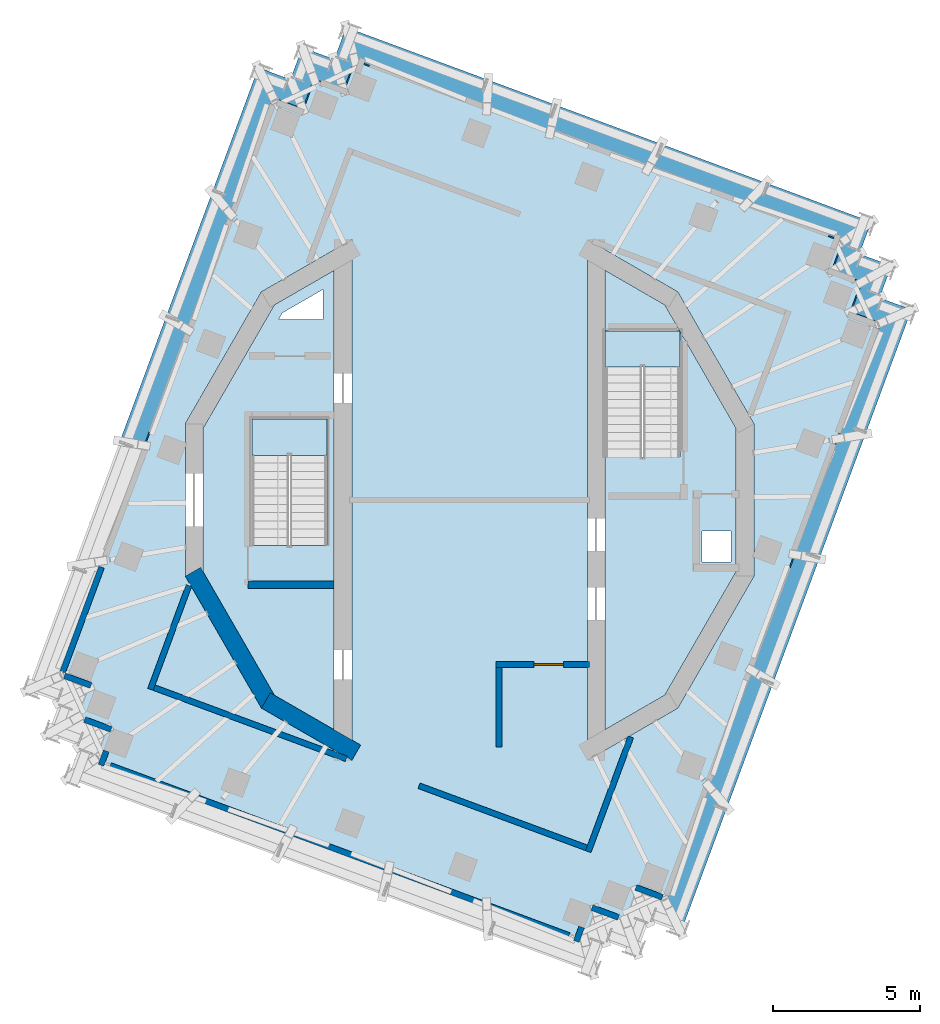
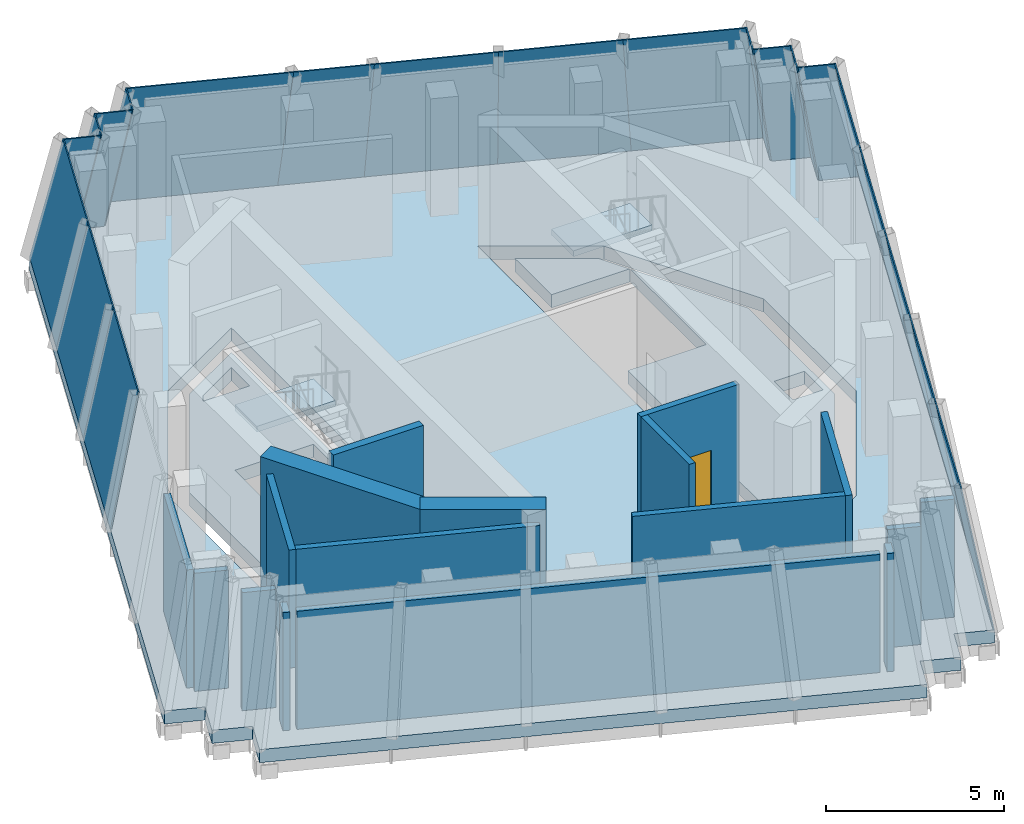
# One storey, part 4 of 11: 21 plates, 17 walls, 6 slabs, 1 door, 1 opening, 23 elements without a shape of their own.
"""IFC4 building model written with IfcOpenShell, lengths in metres."""

from ifc_helpers import new_model, si_unit, direction, frame, frame_2d, origin, place, context, subcontext, project, spatial, polyline, rectangle, outline, extrude, material, layer, layer_set, type_object, element, fill, aggregate, save


model = new_model("IFC4")

# Units and contexts
model_context = context("Model", 3, precision=1e-05, world=origin(), true_north=direction((0.0, 1.0)))
body_context = subcontext(model_context, "Body", "Model", "MODEL_VIEW")
ifc_project = project(units=[si_unit("LENGTHUNIT", "METRE"), si_unit("AREAUNIT", "SQUARE_METRE"), si_unit("VOLUMEUNIT", "CUBIC_METRE"), si_unit("PLANEANGLEUNIT", "RADIAN"), si_unit("MASSUNIT", "GRAM", prefix="KILO")], contexts=[model_context])

# Site, building, storey
site_placement = place(None, origin())
site = spatial("IfcSite", under=ifc_project, at=site_placement, CompositionType="ELEMENT")
building_placement = place(site_placement, origin())
building = spatial("IfcBuilding", under=site, at=building_placement, Name="Cantera Rosa Tower", CompositionType="ELEMENT")
storey_placement = place(building_placement, frame((0.0, 0.0, 365.199951171875)))
storey = spatial("IfcBuildingStorey", under=building, at=storey_placement, Name="L82", CompositionType="ELEMENT", Elevation=365.199951171875)

# Curtain wall, plate
ifc_material_1 = material(Name="Aluminium frame with clear glass", Category="aluminium")
curtain_wall_type = type_object("IfcCurtainWallType", Name="CW4 CROWN GLAZING", PredefinedType="NOTDEFINED", material=ifc_material_1)
curtain_wall_1_placement = place(storey_placement, origin())
curtain_wall_1 = element("IfcCurtainWall", 1, at=curtain_wall_1_placement, inside=storey, type_object=curtain_wall_type, Name="CW4 L82-01", PredefinedType="NOTDEFINED")
ifc_material_2 = material(Name="Aluminium frame with clear glass", Category="aluminium")
ifc_layer_1 = layer(ifc_material_2, 0.0400390625)
ifc_layer_set_1 = layer_set([ifc_layer_1], Name="CW-PANEL CROWN 40")
plate_type = type_object("IfcPlateType", Name="CW-PANEL CROWN 40", PredefinedType="CURTAIN_PANEL", material=ifc_layer_set_1)
plate_1_placement = place(storey_placement, frame((13.645263671875, 9.4482421875, 0.0), z_axis=(0.340165224007, 0.917961409223, 0.204045268396), x_axis=(-0.937689092441, 0.347475417715, 9.60879e-07)))
plate_1 = element("IfcPlate", 2, at=plate_1_placement, type_object=plate_type, Name="CROWN GLAZING L82-01", PredefinedType="CURTAIN_PANEL", context=body_context, shape_type="SweptSolid", body=[
    extrude(outline(polyline([(0.0, 0.0), (3.804694847355309, 5.551115123125783e-17), (4.198395613080415, 4.596703932929117), (0.6558739217055262, 4.596711144433926), (0.0, 0.0)])), origin(), (0.0, 0.0, -1.0), 0.0400390625),
])
aggregate(curtain_wall_1, [plate_1])

curtain_wall_2_placement = place(storey_placement, origin())
curtain_wall_2 = element("IfcCurtainWall", 3, at=curtain_wall_2_placement, inside=storey, type_object=curtain_wall_type, Name="CW4 L82-02", PredefinedType="NOTDEFINED")
plate_2_placement = place(storey_placement, frame((10.07763671875, 10.770263671875, 0.0), z_axis=(0.340203721243, 0.917944980498, 0.204054994624), x_axis=(-0.937673999764, 0.347516143739, -2.527527e-06)))
plate_2 = element("IfcPlate", 4, at=plate_2_placement, type_object=plate_type, Name="CROWN GLAZING L82-02", PredefinedType="CURTAIN_PANEL", context=body_context, shape_type="SweptSolid", body=[
    extrude(outline(polyline([(0.0, 0.0), (3.8047796858030525, 0.0), (3.935937095759924, 4.596727734943625), (0.3936443312266514, 4.596708765903235), (0.0, 0.0)])), origin(), (0.0, 0.0, -1.0), 0.0400390625),
])
aggregate(curtain_wall_2, [plate_2])

curtain_wall_3_placement = place(storey_placement, origin())
curtain_wall_3 = element("IfcCurtainWall", 5, at=curtain_wall_3_placement, inside=storey, type_object=curtain_wall_type, Name="CW4 L82-03", PredefinedType="NOTDEFINED")
plate_3_placement = place(storey_placement, frame((6.510009765625, 12.092529296875, 0.0), z_axis=(0.340154195394, 0.917964176533, 0.204051204254), x_axis=(-0.937693259812, 0.347464171526, 3.108178e-06)))
plate_3 = element("IfcPlate", 6, at=plate_3_placement, type_object=plate_type, Name="CROWN GLAZING L82-03", PredefinedType="CURTAIN_PANEL", context=body_context, shape_type="SweptSolid", body=[
    extrude(outline(polyline([(0.0, 0.0), (3.80492377629392, 0.0), (3.6737564527884428, 4.596702199120742), (0.1312347619118278, 4.596725527102353), (0.0, 0.0)])), origin(), (0.0, 0.0, -1.0), 0.0400390625),
])
aggregate(curtain_wall_3, [plate_3])

curtain_wall_4_placement = place(storey_placement, origin())
curtain_wall_4 = element("IfcCurtainWall", 7, at=curtain_wall_4_placement, inside=storey, type_object=curtain_wall_type, Name="CW4 L82-04", PredefinedType="NOTDEFINED")
plate_4_placement = place(storey_placement, frame((2.942138671875, 13.41455078125, 0.0), z_axis=(0.340139073505, 0.917974154423, 0.204031523266), x_axis=(-0.937699518085, 0.347447282005, 3.040715e-06)))
plate_4 = element("IfcPlate", 8, at=plate_4_placement, type_object=plate_type, Name="CROWN GLAZING L82-04", PredefinedType="CURTAIN_PANEL", context=body_context, shape_type="SweptSolid", body=[
    extrude(outline(polyline([(0.0, 0.0), (2.467169931762533, 0.0), (2.1657707294685866, 4.596687875176538), (-0.1311507337702072, 4.596702672698745), (0.0, 0.0)])), origin(), (0.0, 0.0, -1.0), 0.0400390625),
])
aggregate(curtain_wall_4, [plate_4])

curtain_wall_5_placement = place(storey_placement, origin())
curtain_wall_5 = element("IfcCurtainWall", 9, at=curtain_wall_5_placement, inside=storey, type_object=curtain_wall_type, Name="CW4 L82-05", PredefinedType="NOTDEFINED")
plate_5_placement = place(storey_placement, frame((0.628662109375, 14.271728515625, 0.0), z_axis=(0.340185082251, 0.917950958821, 0.204059175275), x_axis=(-0.93768060107, 0.3474983314, -7.223871e-06)))
plate_5 = element("IfcPlate", 10, at=plate_5_placement, type_object=plate_type, Name="CROWN GLAZING L82-05", PredefinedType="CURTAIN_PANEL", context=body_context, shape_type="SweptSolid", body=[
    extrude(outline(polyline([(0.0, 0.0), (5.142304603752525, -5.551115123125783e-17), (4.486311705409018, 4.596754769972008), (-0.30149644967554456, 4.596681494293909), (0.0, 0.0)])), origin(), (0.0, 0.0, -1.0), 0.0400390625),
])
aggregate(curtain_wall_5, [plate_5])

curtain_wall_6_placement = place(storey_placement, origin())
curtain_wall_6 = element("IfcCurtainWall", 11, at=curtain_wall_6_placement, inside=storey, type_object=curtain_wall_type, Name="CW4 L82-06", PredefinedType="NOTDEFINED")
plate_6_placement = place(storey_placement, frame((-4.193115234375, 16.058837890625, 0.0), z_axis=(-0.927897076735, 0.343809377107, 0.144229425569), x_axis=(-0.347441902014, -0.937701511528, 1.715165e-06)))
plate_6 = element("IfcPlate", 12, at=plate_6_placement, type_object=plate_type, Name="CROWN GLAZING L82-06", PredefinedType="CURTAIN_PANEL", context=body_context, shape_type="SweptSolid", body=[
    extrude(outline(polyline([(0.0, 0.0), (1.1601622352524454, 6.938893903907228e-18), (2.0182168537482856, 4.547544410804056), (0.9382353905613258, 4.5475482936176395), (0.0, 0.0)])), origin(), (0.0, 0.0, -1.0), 0.0400390625),
])
aggregate(curtain_wall_6, [plate_6])

curtain_wall_7_placement = place(storey_placement, origin())
curtain_wall_7 = element("IfcCurtainWall", 13, at=curtain_wall_7_placement, inside=storey, type_object=curtain_wall_type, Name="CW4 L82-07", PredefinedType="NOTDEFINED")
plate_7_placement = place(storey_placement, frame((-4.59619140625, 14.970947265625, 0.0), z_axis=(0.341293397835, 0.92110677383, 0.187299567002), x_axis=(-0.937701571148, 0.347441741105, 2.211052e-06)))
plate_7 = element("IfcPlate", 14, at=plate_7_placement, type_object=plate_type, Name="CROWN GLAZING L82-07", PredefinedType="CURTAIN_PANEL", context=body_context, shape_type="SweptSolid", body=[
    extrude(outline(polyline([(0.0, 0.0), (1.1601622352536416, 0.0), (0.4241154943428339, 4.581071002407844), (-0.6558659688406195, 4.581076044716653), (0.0, 0.0)])), origin(), (0.0, 0.0, -1.0), 0.0400390625),
])
aggregate(curtain_wall_7, [plate_7])

curtain_wall_8_placement = place(storey_placement, origin())
curtain_wall_8 = element("IfcCurtainWall", 15, at=curtain_wall_8_placement, inside=storey, type_object=curtain_wall_type, Name="CW4 L82-08", PredefinedType="NOTDEFINED")
plate_8_placement = place(storey_placement, frame((-5.68408203125, 15.3740234375, 0.0), z_axis=(-0.92538881492, 0.342919858417, 0.161435782663), x_axis=(-0.347478214499, -0.937688056037, -3.702462e-06)))
plate_8 = element("IfcPlate", 16, at=plate_8_placement, type_object=plate_type, Name="CROWN GLAZING L82-08", PredefinedType="CURTAIN_PANEL", context=body_context, shape_type="SweptSolid", body=[
    extrude(outline(polyline([(0.0, 0.0), (1.1599333060995378, -6.938893903907228e-18), (1.9379553328204608, 4.559817299854685), (0.8579738698987345, 4.5598088964295735), (0.0, 0.0)])), origin(), (0.0, 0.0, -1.0), 0.0400390625),
])
aggregate(curtain_wall_8, [plate_8])

curtain_wall_9_placement = place(storey_placement, origin())
curtain_wall_9 = element("IfcCurtainWall", 17, at=curtain_wall_9_placement, inside=storey, type_object=curtain_wall_type, Name="CW4 L82-09", PredefinedType="NOTDEFINED")
plate_9_placement = place(storey_placement, frame((-6.087158203125, 14.286376953125, 0.0), z_axis=(0.342397243972, 0.923978510003, 0.170375586201), x_axis=(-0.937688032083, 0.347478279139, -3.901538e-06)))
plate_9 = element("IfcPlate", 18, at=plate_9_placement, type_object=plate_type, Name="CROWN GLAZING L82-09", PredefinedType="CURTAIN_PANEL", context=body_context, shape_type="SweptSolid", body=[
    extrude(outline(polyline([(0.0, 0.0), (1.159933306100467, 0.0), (0.3438199241183921, 4.566771208875232), (-0.7361615388006111, 4.566762340094991), (0.0, 0.0)])), origin(), (0.0, 0.0, -1.0), 0.0400390625),
])
aggregate(curtain_wall_9, [plate_9])

curtain_wall_10_placement = place(storey_placement, origin())
curtain_wall_10 = element("IfcCurtainWall", 19, at=curtain_wall_10_placement, inside=storey, type_object=curtain_wall_type, Name="CW4 L82-10", PredefinedType="NOTDEFINED")
plate_10_placement = place(storey_placement, frame((-7.1748046875, 14.689453125, 0.0), z_axis=(-0.922638075768, 0.341915897199, 0.178416648284), x_axis=(-0.34749046277, -0.937683517107, 5.431796e-06)))
plate_10 = element("IfcPlate", 20, at=plate_10_placement, type_object=plate_type, Name="CROWN GLAZING L82-10", PredefinedType="CURTAIN_PANEL", context=body_context, shape_type="SweptSolid", body=[
    extrude(outline(polyline([(0.0, 0.0), (4.51234784836243, 0.0), (4.979160171559109, 4.573352257421034), (0.7781063346723773, 4.573400358621371), (0.0, 0.0)])), origin(), (0.0, 0.0, -1.0), 0.0400390625),
])
aggregate(curtain_wall_10, [plate_10])

curtain_wall_11_placement = place(storey_placement, origin())
curtain_wall_11 = element("IfcCurtainWall", 21, at=curtain_wall_11_placement, inside=storey, type_object=curtain_wall_type, Name="CW4 L82-11", PredefinedType="NOTDEFINED")
plate_11_placement = place(storey_placement, frame((-8.74267578125, 10.458251953125, 0.0), z_axis=(-0.922641797589, 0.341907059901, 0.178414337238), x_axis=(-0.347483138288, -0.937686231411, -5.183726e-06)))
plate_11 = element("IfcPlate", 22, at=plate_11_placement, type_object=plate_type, Name="CROWN GLAZING L82-11", PredefinedType="CURTAIN_PANEL", context=body_context, shape_type="SweptSolid", body=[
    extrude(outline(polyline([(0.0, 0.0), (4.512432684037128, 5.551115123125783e-17), (4.667968854148029, 4.573402388536543), (0.46677092595479375, 4.573356482925092), (0.0, 0.0)])), origin(), (0.0, 0.0, -1.0), 0.0400390625),
])
aggregate(curtain_wall_11, [plate_11])

curtain_wall_12_placement = place(storey_placement, origin())
curtain_wall_12 = element("IfcCurtainWall", 23, at=curtain_wall_12_placement, inside=storey, type_object=curtain_wall_type, Name="CW4 L82-12", PredefinedType="NOTDEFINED")
plate_12_placement = place(storey_placement, frame((-10.310791015625, 6.22705078125, 0.0), z_axis=(-0.922640445618, 0.341906558896, 0.178422288668), x_axis=(-0.347481623949, -0.937686792593, 3.722699e-06)))
plate_12 = element("IfcPlate", 24, at=plate_12_placement, type_object=plate_type, Name="CROWN GLAZING L82-12", PredefinedType="CURTAIN_PANEL", context=body_context, shape_type="SweptSolid", body=[
    extrude(outline(polyline([(0.0, 0.0), (4.5123478494714195, 5.551115123125783e-17), (4.3568603298080815, 4.573368014183581), (0.1555775669905804, 4.573400981398721), (0.0, 0.0)])), origin(), (0.0, 0.0, -1.0), 0.0400390625),
])
aggregate(curtain_wall_12, [plate_12])

curtain_wall_13_placement = place(storey_placement, origin())
curtain_wall_13 = element("IfcCurtainWall", 25, at=curtain_wall_13_placement, inside=storey, type_object=curtain_wall_type, Name="CW4 L82-28", PredefinedType="NOTDEFINED")
plate_13_placement = place(storey_placement, frame((7.1748046875, -14.689453125, 0.0), z_axis=(0.922638075768, -0.341915897199, 0.178416648284), x_axis=(0.34749046277, 0.937683517107, 5.431796e-06)))
plate_13 = element("IfcPlate", 26, at=plate_13_placement, type_object=plate_type, Name="CROWN GLAZING L82-28", PredefinedType="CURTAIN_PANEL", context=body_context, shape_type="SweptSolid", body=[
    extrude(outline(polyline([(0.0, 0.0), (4.51234784836243, 0.0), (4.979160171559109, 4.573352257421034), (0.7781063346723773, 4.573400358621371), (0.0, 0.0)])), origin(), (0.0, 0.0, -1.0), 0.0400390625),
])
aggregate(curtain_wall_13, [plate_13])

curtain_wall_14_placement = place(storey_placement, origin())
curtain_wall_14 = element("IfcCurtainWall", 27, at=curtain_wall_14_placement, inside=storey, type_object=curtain_wall_type, Name="CW4 L82-29", PredefinedType="NOTDEFINED")
plate_14_placement = place(storey_placement, frame((8.74267578125, -10.458251953125, 0.0), z_axis=(0.922641797589, -0.341907059901, 0.178414337238), x_axis=(0.347483138288, 0.937686231411, -5.183726e-06)))
plate_14 = element("IfcPlate", 28, at=plate_14_placement, type_object=plate_type, Name="CROWN GLAZING L82-29", PredefinedType="CURTAIN_PANEL", context=body_context, shape_type="SweptSolid", body=[
    extrude(outline(polyline([(0.0, 0.0), (4.512432684037128, 5.551115123125783e-17), (4.667968854148029, 4.573402388536543), (0.46677092595479375, 4.573356482925092), (0.0, 0.0)])), origin(), (0.0, 0.0, -1.0), 0.0400390625),
])
aggregate(curtain_wall_14, [plate_14])

curtain_wall_15_placement = place(storey_placement, origin())
curtain_wall_15 = element("IfcCurtainWall", 29, at=curtain_wall_15_placement, inside=storey, type_object=curtain_wall_type, Name="CW4 L82-30", PredefinedType="NOTDEFINED")
plate_15_placement = place(storey_placement, frame((10.310791015625, -6.22705078125, 0.0), z_axis=(0.922640445618, -0.341906558896, 0.178422288668), x_axis=(0.347481623949, 0.937686792593, 3.722699e-06)))
plate_15 = element("IfcPlate", 30, at=plate_15_placement, type_object=plate_type, Name="CROWN GLAZING L82-30", PredefinedType="CURTAIN_PANEL", context=body_context, shape_type="SweptSolid", body=[
    extrude(outline(polyline([(0.0, 0.0), (4.5123478494714195, 5.551115123125783e-17), (4.3568603298080815, 4.573368014183581), (0.1555775669905804, 4.573400981398721), (0.0, 0.0)])), origin(), (0.0, 0.0, -1.0), 0.0400390625),
])
aggregate(curtain_wall_15, [plate_15])

curtain_wall_16_placement = place(storey_placement, origin())
curtain_wall_16 = element("IfcCurtainWall", 31, at=curtain_wall_16_placement, inside=storey, type_object=curtain_wall_type, Name="CW4 L82-31", PredefinedType="NOTDEFINED")
plate_16_placement = place(storey_placement, frame((11.878662109375, -1.995849609375, 0.0), z_axis=(0.922639093591, -0.34190605787, 0.178430240063), x_axis=(0.347483138446, 0.937686231353, -5.184173e-06)))
plate_16 = element("IfcPlate", 32, at=plate_16_placement, type_object=plate_type, Name="CROWN GLAZING L82-31", PredefinedType="CURTAIN_PANEL", context=body_context, shape_type="SweptSolid", body=[
    extrude(outline(polyline([(0.0, 0.0), (4.512432684037139, -5.551115123125783e-17), (4.045669009813768, 4.573412515296011), (-0.15552891837943503, 4.573366605592798), (0.0, 0.0)])), origin(), (0.0, 0.0, -1.0), 0.0400390625),
])
aggregate(curtain_wall_16, [plate_16])

curtain_wall_17_placement = place(storey_placement, origin())
curtain_wall_17 = element("IfcCurtainWall", 33, at=curtain_wall_17_placement, inside=storey, type_object=curtain_wall_type, Name="CW4 L82-32", PredefinedType="NOTDEFINED")
plate_17_placement = place(storey_placement, frame((13.44677734375, 2.2353515625, 0.0), z_axis=(0.922637741508, -0.341905556823, 0.178438191423), x_axis=(0.347481623837, 0.937686792635, 3.72302e-06)))
plate_17 = element("IfcPlate", 34, at=plate_17_placement, type_object=plate_type, Name="CROWN GLAZING L82-32", PredefinedType="CURTAIN_PANEL", context=body_context, shape_type="SweptSolid", body=[
    extrude(outline(polyline([(0.0, 0.0), (4.512347849471424, 0.0), (3.7345604892807645, 4.573383771228187), (-0.46672227353671913, 4.57341674138169), (0.0, 0.0)])), origin(), (0.0, 0.0, -1.0), 0.0400390625),
])
aggregate(curtain_wall_17, [plate_17])

curtain_wall_18_placement = place(storey_placement, origin())
curtain_wall_18 = element("IfcCurtainWall", 35, at=curtain_wall_18_placement, inside=storey, type_object=curtain_wall_type, Name="CW4 L82-33", PredefinedType="NOTDEFINED")
plate_18_placement = place(storey_placement, frame((15.0146484375, 6.466552734375, 0.0), z_axis=(0.342400289911, 0.923986729645, 0.170324880476), x_axis=(-0.937688032222, 0.347478278763, -3.900411e-06)))
plate_18 = element("IfcPlate", 36, at=plate_18_placement, type_object=plate_type, Name="CROWN GLAZING L82-33", PredefinedType="CURTAIN_PANEL", context=body_context, shape_type="SweptSolid", body=[
    extrude(outline(polyline([(0.0, 0.0), (1.1599333061004615, 0.0), (1.8959403777767683, 4.566736726877417), (0.8159589148577493, 4.566727860736626), (0.0, 0.0)])), origin(), (0.0, 0.0, -1.0), 0.0400390625),
])
aggregate(curtain_wall_18, [plate_18])

curtain_wall_19_placement = place(storey_placement, origin())
curtain_wall_19 = element("IfcCurtainWall", 37, at=curtain_wall_19_placement, inside=storey, type_object=curtain_wall_type, Name="CW4 L82-34", PredefinedType="NOTDEFINED")
plate_19_placement = place(storey_placement, frame((13.927001953125, 6.86962890625, 0.0), z_axis=(0.925404285088, -0.342885734642, 0.161419584063), x_axis=(0.347441842805, 0.937701533466, 1.914432e-06)))
plate_19 = element("IfcPlate", 38, at=plate_19_placement, type_object=plate_type, Name="CROWN GLAZING L82-34", PredefinedType="CURTAIN_PANEL", context=body_context, shape_type="SweptSolid", body=[
    extrude(outline(polyline([(0.0, 0.0), (1.1601622352528855, -2.0816681711721685e-17), (0.30216361706534467, 4.559797200632011), (-0.7778178461203248, 4.559801546223428), (0.0, 0.0)])), origin(), (0.0, 0.0, -1.0), 0.0400390625),
])
aggregate(curtain_wall_19, [plate_19])

curtain_wall_20_placement = place(storey_placement, origin())
curtain_wall_20 = element("IfcCurtainWall", 39, at=curtain_wall_20_placement, inside=storey, type_object=curtain_wall_type, Name="CW4 L82-35", PredefinedType="NOTDEFINED")
plate_20_placement = place(storey_placement, frame((14.330078125, 7.95751953125, 0.0), z_axis=(0.341293945833, 0.921108252807, 0.187291294911), x_axis=(-0.937701571135, 0.34744174114, 2.210958e-06)))
plate_20 = element("IfcPlate", 40, at=plate_20_placement, type_object=plate_type, Name="CROWN GLAZING L82-35", PredefinedType="CURTAIN_PANEL", context=body_context, shape_type="SweptSolid", body=[
    extrude(outline(polyline([(0.0, 0.0), (1.1601622352536414, 0.0), (1.816018494005862, 4.581060513978668), (0.7360370308224075, 4.581065556064784), (0.0, 0.0)])), origin(), (0.0, 0.0, -1.0), 0.0400390625),
])
aggregate(curtain_wall_20, [plate_20])

curtain_wall_21_placement = place(storey_placement, origin())
curtain_wall_21 = element("IfcCurtainWall", 41, at=curtain_wall_21_placement, inside=storey, type_object=curtain_wall_type, Name="CW4 L82-36", PredefinedType="NOTDEFINED")
plate_21_placement = place(storey_placement, frame((13.2421875, 8.360595703125, 0.0), z_axis=(0.927885521942, -0.34384505916, 0.144218700114), x_axis=(0.347478099823, 0.937688098534, -3.316519e-06)))
plate_21 = element("IfcPlate", 42, at=plate_21_placement, type_object=plate_type, Name="CROWN GLAZING L82-36", PredefinedType="CURTAIN_PANEL", context=body_context, shape_type="SweptSolid", body=[
    extrude(outline(polyline([(0.0, 0.0), (1.1599333060978896, -2.7755575615628914e-17), (0.22196180663747772, 4.547541469007833), (-0.8580196562890803, 4.547533961805737), (0.0, 0.0)])), origin(), (0.0, 0.0, -1.0), 0.0400390625),
])
aggregate(curtain_wall_21, [plate_21])

# Slabs
ifc_material_3 = material(Name="Concrete C50/60", Category="concrete")
ifc_layer_2 = layer(ifc_material_3, 0.449951171875)
ifc_layer_set_2 = layer_set([ifc_layer_2], Name="RC CROWN PLATE 450 C50/60")
slab_type_1 = type_object("IfcSlabType", Name="RC CROWN PLATE 450 C50/60", PredefinedType="FLOOR", material=ifc_layer_set_2)
slab_1_placement = place(storey_placement, frame((0.0, 0.0, -0.449951171875)))
element("IfcSlab", 43, at=slab_1_placement, inside=storey, type_object=slab_type_1, Name="SLAB L82 floor 1", PredefinedType="FLOOR", context=body_context, shape_type="SweptSolid", body=[
    extrude(outline(polyline([(-4.60009765625, 7.804931640625), (-4.60009765625, -7.804931640625), (-6.6318359375, -6.6318359375), (-9.059326171875, -2.427490234375), (-9.059326171875, 2.427490234375), (-6.6318359375, 6.6318359375), (-4.60009765625, 7.804931640625)]), holes=[polyline([(-7.39990234375, 2.75), (-7.39990234375, -1.5380859375), (-4.85009765625, -1.5380859375), (-4.85009765625, 2.75), (-7.39990234375, 2.75)]), polyline([(-4.97509765625, 6.125), (-4.97509765625, 7.155517578125), (-6.357421875, 6.357421875), (-6.491455078125, 6.125), (-4.97509765625, 6.125)])]), origin(), (0.0, 0.0, 1.0), 0.449951171875),
])
slab_2_placement = place(storey_placement, frame((0.0, 0.0, -0.449951171875)))
element("IfcSlab", 44, at=slab_2_placement, inside=storey, type_object=slab_type_1, Name="SLAB L82 floor 2", PredefinedType="FLOOR", context=body_context, shape_type="SweptSolid", body=[
    extrude(outline(polyline([(14.330078125, 7.95751953125), (13.927001953125, 6.86962890625), (15.0146484375, 6.466552734375), (7.1748046875, -14.689453125), (6.087158203125, -14.286376953125), (5.68408203125, -15.3740234375), (4.59619140625, -14.970947265625), (4.193115234375, -16.05859375), (-13.6455078125, -9.4482421875), (-13.2421875, -8.360595703125), (-14.330078125, -7.95751953125), (-13.927001953125, -6.86962890625), (-15.0146484375, -6.466552734375), (-7.1748046875, 14.689453125), (-6.087158203125, 14.286376953125), (-5.68408203125, 15.3740234375), (-4.59619140625, 14.970947265625), (-4.193115234375, 16.05859375), (13.6455078125, 9.4482421875), (13.2421875, 8.360595703125), (14.330078125, 7.95751953125)]), holes=[polyline([(-9.6591796875, 2.588134765625), (-9.6591796875, -2.588134765625), (-7.071044921875, -7.071044921875), (-4.0, -8.843994140625), (-4.0, 8.843994140625), (-7.071044921875, 7.071044921875), (-9.6591796875, 2.588134765625)]), polyline([(9.6591796875, -2.588134765625), (9.6591796875, 2.588134765625), (7.071044921875, 7.071044921875), (4.0, 8.843994140625), (4.0, -8.843994140625), (7.071044921875, -7.071044921875), (9.6591796875, -2.588134765625)])]), origin(), (0.0, 0.0, 1.0), 0.449951171875),
])
slab_3_placement = place(storey_placement, frame((0.0, 0.0, -0.449951171875)))
element("IfcSlab", 45, at=slab_3_placement, inside=storey, type_object=slab_type_1, Name="SLAB L82 floor 3", PredefinedType="FLOOR", context=body_context, shape_type="SweptSolid", body=[
    extrude(outline(polyline([(4.60009765625, 5.75), (4.60009765625, 7.804931640625), (6.6318359375, 6.6318359375), (7.14111328125, 5.75), (4.60009765625, 5.75)])), origin(), (0.0, 0.0, 1.0), 0.449951171875),
])
slab_4_placement = place(storey_placement, frame((0.0, 0.0, -0.449951171875)))
element("IfcSlab", 46, at=slab_4_placement, inside=storey, type_object=slab_type_1, Name="SLAB L82 floor 4", PredefinedType="FLOOR", context=body_context, shape_type="SweptSolid", body=[
    extrude(outline(polyline([(4.60009765625, -7.804931640625), (4.60009765625, 1.4619140625), (7.14990234375, 1.4619140625), (7.14990234375, 5.734375), (9.059326171875, 2.427490234375), (9.059326171875, -2.427490234375), (6.6318359375, -6.6318359375), (4.60009765625, -7.804931640625)]), holes=[polyline([(8.8798828125, -2.10009765625), (8.8798828125, -1.050048828125), (7.89990234375, -1.050048828125), (7.89990234375, -2.10009765625), (8.8798828125, -2.10009765625)])]), origin(), (0.0, 0.0, 1.0), 0.449951171875),
])

# Stair, slab
ifc_material_4 = material(Name="Concrete C35/45", Category="concrete")
stair_type = type_object("IfcStairType", Name="EXIT STAIR 1200 DOGLEG", PredefinedType="HALF_TURN_STAIR", material=ifc_material_4)
stair_1_placement = place(storey_placement, origin())
stair_1 = element("IfcStair", 47, at=stair_1_placement, inside=storey, type_object=stair_type, Name="L82 ST-71", PredefinedType="HALF_TURN_STAIR")
ifc_material_5 = material(Name="Concrete C35/45", Category="concrete")
ifc_layer_3 = layer(ifc_material_5, 0.199951171875)
ifc_layer_set_3 = layer_set([ifc_layer_3], Name="STAIR LANDING 200")
slab_type_2 = type_object("IfcSlabType", Name="STAIR LANDING 200", PredefinedType="LANDING", material=ifc_layer_set_3)
slab_5_placement = place(storey_placement, frame((0.0, 0.0, 2.050048828125)))
slab_5 = element("IfcSlab", 48, at=slab_5_placement, type_object=slab_type_2, Name="ST-71 landing 1", PredefinedType="LANDING", context=body_context, shape_type="SweptSolid", body=[
    extrude(outline(polyline([(-4.85009765625, 1.51806640625), (-4.85009765625, 2.75), (-7.39990234375, 2.75), (-7.39990234375, 1.51806640625), (-4.85009765625, 1.51806640625)])), origin(), (0.0, 0.0, 1.0), 0.199951171875),
])
aggregate(stair_1, [slab_5])

stair_2_placement = place(storey_placement, origin())
stair_2 = element("IfcStair", 49, at=stair_2_placement, inside=storey, type_object=stair_type, Name="L82 ST-72", PredefinedType="HALF_TURN_STAIR")
slab_6_placement = place(storey_placement, frame((0.0, 0.0, 2.050048828125)))
slab_6 = element("IfcSlab", 50, at=slab_6_placement, type_object=slab_type_2, Name="ST-72 landing 1", PredefinedType="LANDING", context=body_context, shape_type="SweptSolid", body=[
    extrude(outline(polyline([(7.14990234375, 4.51806640625), (7.14990234375, 5.75), (4.60009765625, 5.75), (4.60009765625, 4.51806640625), (7.14990234375, 4.51806640625)])), origin(), (0.0, 0.0, 1.0), 0.199951171875),
])
aggregate(stair_2, [slab_6])

# Walls
ifc_material_6 = material(Name="Masonry blockwork", Category="masonry")
ifc_layer_4 = layer(ifc_material_6, 0.199951171875)
ifc_layer_set_4 = layer_set([ifc_layer_4], Name="Blockwork partition 200")
wall_type_1 = type_object("IfcWallType", Name="Blockwork partition 200", PredefinedType="PARTITIONING", material=ifc_layer_set_4)
wall_1_placement = place(storey_placement, frame((5.05908203125, -14.1826171875, 0.0), z_axis=(0.0, 0.0, 1.0), x_axis=(-0.937742626232, 0.347330918501, 0.0)))
element("IfcWall", 51, at=wall_1_placement, inside=storey, type_object=wall_type_1, Name="Partition L82-1", PredefinedType="PARTITIONING", context=body_context, shape_type="SweptSolid", body=[
    extrude(rectangle(XDim=0.960205078125, YDim=0.199951171875, at=frame_2d((0.47998046875, 0.0))), origin(), (0.0, 0.0, 1.0), 4.050048828125),
])
wall_2_placement = place(storey_placement, frame((-12.179443359375, -7.794677734375, 0.0), z_axis=(0.0, 0.0, 1.0), x_axis=(-0.937629067404, 0.347637356968, 0.0)))
element("IfcWall", 52, at=wall_2_placement, inside=storey, type_object=wall_type_1, Name="Partition L82-2", PredefinedType="PARTITIONING", context=body_context, shape_type="SweptSolid", body=[
    extrude(rectangle(XDim=0.9599609375, YDim=0.199951171875, at=frame_2d((0.47998046875, 0.0))), origin(), (0.0, 0.0, 1.0), 4.050048828125),
])
wall_3_placement = place(storey_placement, frame((3.627197265625, -14.995849609375, 0.0), z_axis=(0.0, 0.0, 1.0), x_axis=(0.347391322771, 0.937720250855, 0.0)))
element("IfcWall", 53, at=wall_3_placement, inside=storey, type_object=wall_type_1, Name="Partition L82-3", PredefinedType="PARTITIONING", context=body_context, shape_type="SweptSolid", body=[
    extrude(rectangle(XDim=0.5166015625, YDim=0.199951171875, at=frame_2d((0.25830078125, 0.0))), origin(), (0.0, 0.0, 1.0), 4.050048828125),
])
wall_4_placement = place(storey_placement, frame((3.380615234375, -14.7978515625, 0.0), z_axis=(0.0, 0.0, 1.0), x_axis=(-0.937685501547, 0.347485107866, 0.0)))
element("IfcWall", 54, at=wall_4_placement, inside=storey, type_object=wall_type_1, Name="Partition L82-5", PredefinedType="PARTITIONING", context=body_context, shape_type="SweptSolid", body=[
    extrude(rectangle(XDim=16.6240234375, YDim=0.199951171875, at=frame_2d((8.31201171875, 0.0))), origin(), (0.0, 0.0, 1.0), 4.050048828125),
])
wall_5_placement = place(storey_placement, frame((-12.5234375, -9.0107421875, 0.0), z_axis=(0.0, 0.0, 1.0), x_axis=(0.347545352018, 0.937663174221, 0.0)))
element("IfcWall", 55, at=wall_5_placement, inside=storey, type_object=wall_type_1, Name="Partition L82-6", PredefinedType="PARTITIONING", context=body_context, shape_type="SweptSolid", body=[
    extrude(rectangle(XDim=0.516357421875, YDim=0.199951171875, at=frame_2d((0.25830078125, 0.0))), origin(), (0.0, 0.0, 1.0), 4.050048828125),
])
for number, where, z_axis, x_axis, name in (
    (56, (6.5498046875, -13.498046875, 0.0), (0.0, 0.0, 1.0), (-0.937711940607, 0.347413753965, 0.0), "Partition L82-8"),
    (57, (-12.864013671875, -6.3037109375, 0.0), (0.0, 0.0, 1.0), (-0.937711940607, 0.347413753965, 0.0), "Partition L82-9"),
):
    element("IfcWall", number, at=place(storey_placement, frame(where, z_axis=z_axis, x_axis=x_axis)), inside=storey, type_object=wall_type_1, Name=name, PredefinedType="PARTITIONING", context=body_context, shape_type="SweptSolid", body=[
        extrude(rectangle(XDim=0.9599609375, YDim=0.199951171875, at=frame_2d((0.47998046875, 0.0))), origin(), (0.0, 0.0, 1.0), 4.050048828125),
    ])
wall_6_placement = place(storey_placement, frame((-13.8232421875, -5.841796875, 0.0), z_axis=(0.0, 0.0, 1.0), x_axis=(0.347492662274, 0.937682702019, 0.0)))
element("IfcWall", 58, at=wall_6_placement, inside=storey, type_object=wall_type_1, Name="Partition L82-10", PredefinedType="PARTITIONING", context=body_context, shape_type="SweptSolid", body=[
    extrude(rectangle(XDim=3.79052734375, YDim=0.199951171875, at=frame_2d((1.895263671875, 0.0))), origin(), (0.0, 0.0, 1.0), 4.050048828125),
])
wall_7_placement = place(storey_placement, frame((-10.843505859375, -6.43408203125, 0.0), z_axis=(0.0, 0.0, 1.0), x_axis=(0.347525516493, 0.93767052603, 0.0)))
element("IfcWall", 59, at=wall_7_placement, inside=storey, type_object=wall_type_1, Name="Partition L82-21", PredefinedType="PARTITIONING", context=body_context, shape_type="SweptSolid", body=[
    extrude(rectangle(XDim=3.765380859375, YDim=0.199951171875, at=frame_2d((1.8828125, 0.0))), origin(), (0.0, 0.0, 1.0), 4.050048828125),
])
wall_8_placement = place(storey_placement, frame((3.972900390625, -11.818115234375, 0.0), z_axis=(0.0, 0.0, 1.0), x_axis=(-0.937673031606, 0.347518756039, 0.0)))
element("IfcWall", 60, at=wall_8_placement, inside=storey, type_object=wall_type_1, Name="Partition L82-23", PredefinedType="PARTITIONING", context=body_context, shape_type="SweptSolid", body=[
    extrude(rectangle(XDim=6.068359375, YDim=0.199951171875, at=frame_2d((3.0341796875, 0.0))), origin(), (0.0, 0.0, 1.0), 4.050048828125),
])
wall_9_placement = place(storey_placement, frame((-4.186279296875, -8.79443359375, 0.0), z_axis=(0.0, 0.0, 1.0), x_axis=(-0.937681065631, 0.347497077911, 0.0)))
element("IfcWall", 61, at=wall_9_placement, inside=storey, type_object=wall_type_1, Name="Partition L82-23x1", PredefinedType="PARTITIONING", context=body_context, shape_type="SweptSolid", body=[
    extrude(rectangle(XDim=6.96240234375, YDim=0.199951171875, at=frame_2d((3.481201171875, 0.0))), origin(), (0.0, 0.0, 1.0), 4.050048828125),
])
wall_10_placement = place(storey_placement, frame((4.031982421875, -11.946533203125, 0.0), z_axis=(0.0, 0.0, 1.0), x_axis=(0.347476980146, 0.937688513457, 0.0)))
element("IfcWall", 62, at=wall_10_placement, inside=storey, type_object=wall_type_1, Name="Partition L82-24", PredefinedType="PARTITIONING", context=body_context, shape_type="SweptSolid", body=[
    extrude(rectangle(XDim=4.156005859375, YDim=0.199951171875, at=frame_2d((2.078125, 0.0))), origin(), (0.0, 0.0, 1.0), 4.050048828125),
])

# Wall, opening, door
wall_11_placement = place(storey_placement, frame((0.89990234375, -5.593994140625, 0.0), z_axis=(0.0, 0.0, 1.0), x_axis=(1.0, 0.0, 0.0)))
wall_11 = element("IfcWall", 63, at=wall_11_placement, inside=storey, type_object=wall_type_1, Name="Partition L82-STORE-A", PredefinedType="PARTITIONING", context=body_context, shape_type="SweptSolid", body=[
    extrude(rectangle(XDim=3.175048828125, YDim=0.199951171875, at=frame_2d((1.58740234375, 0.0))), origin(), (0.0, 0.0, 1.0), 4.050048828125),
])
opening_placement = place(wall_11_placement, frame((1.28759765625, 0.0, 0.0)))
opening = element("IfcOpeningElement", 64, at=opening_placement, cuts=wall_11, Name="Opening L82-ST", PredefinedType="OPENING", context=body_context, shape_type="SweptSolid", body=[
    extrude(rectangle(XDim=1.0, YDim=2.10009765625, at=frame_2d((0.5, 1.050048828125))), frame((0.0, 0.10986328125, 0.0), z_axis=(0.0, -1.0, 0.0), x_axis=(1.0, 0.0, 0.0)), (0.0, 0.0, 1.0), 0.219970703125),
])
ifc_material_7 = material(Name="Timber", Category="wood")
door_type = type_object("IfcDoorType", Name="Door 1000x2100", OperationType="NOTDEFINED", PredefinedType="DOOR", material=ifc_material_7)
door_placement = place(opening_placement, origin())
door = element("IfcDoor", 65, at=door_placement, inside=storey, type_object=door_type, Name="Door L82-ST", OverallHeight=2.10009765625, OverallWidth=1.0, PredefinedType="DOOR", context=body_context, shape_type="SweptSolid", body=[
    extrude(rectangle(XDim=1.0, YDim=2.10009765625, at=frame_2d((0.5, 1.050048828125))), frame((0.0, 0.02490234375, 0.0), z_axis=(0.0, -1.0, 0.0), x_axis=(1.0, 0.0, 0.0)), (0.0, 0.0, 1.0), 0.050048828125),
])
fill(opening, door)

# Walls
wall_12_placement = place(storey_placement, frame((1.0, -5.694091796875, 0.0), z_axis=(0.0, 0.0, 1.0), x_axis=(0.0, -1.0, 0.0)))
element("IfcWall", 66, at=wall_12_placement, inside=storey, type_object=wall_type_1, Name="Partition L82-STORE-B", PredefinedType="PARTITIONING", context=body_context, shape_type="SweptSolid", body=[
    extrude(rectangle(XDim=2.699951171875, YDim=0.199951171875, at=frame_2d((1.35009765625, 0.0))), origin(), (0.0, 0.0, 1.0), 4.050048828125),
])
ifc_material_8 = material(Name="Concrete C50/60", Category="concrete")
ifc_layer_5 = layer(ifc_material_8, 0.60009765625)
ifc_layer_set_5 = layer_set([ifc_layer_5], Name="RC CORE WALL 600 C50/60")
wall_type_2 = type_object("IfcWallType", Name="RC CORE WALL 600 C50/60", PredefinedType="SHEAR", material=ifc_layer_set_5)
wall_13_placement = place(storey_placement, frame((-3.85009765625, -8.584228515625, 0.0), z_axis=(0.0, 0.0, 1.0), x_axis=(-0.866039982607, 0.499974747889, 0.0)))
element("IfcWall", 67, at=wall_13_placement, inside=storey, type_object=wall_type_2, Name="CW-W1 L82", PredefinedType="SHEAR", context=body_context, shape_type="SweptSolid", body=[
    extrude(rectangle(XDim=3.546142578125, YDim=0.60009765625, at=frame_2d((1.77294921875, 0.0))), origin(), (0.0, 0.0, 1.0), 4.5),
])
wall_14_placement = place(storey_placement, frame((-6.811279296875, -6.921142578125, 0.0), z_axis=(0.0, 0.0, 1.0), x_axis=(-0.499989188378, 0.866031645787, 0.0)))
element("IfcWall", 68, at=wall_14_placement, inside=storey, type_object=wall_type_2, Name="CW-W2 L82", PredefinedType="SHEAR", context=body_context, shape_type="SweptSolid", body=[
    extrude(rectangle(XDim=5.17626953125, YDim=0.60009765625, at=frame_2d((2.588134765625, 0.0))), origin(), (0.0, 0.0, 1.0), 4.5),
])
ifc_material_9 = material(Name="Concrete C50/60", Category="concrete")
ifc_layer_6 = layer(ifc_material_9, 0.25)
ifc_layer_set_6 = layer_set([ifc_layer_6], Name="STAIR WALL 250 H4050")
wall_type_3 = type_object("IfcWallType", Name="STAIR WALL 250 H4050", PredefinedType="SOLIDWALL", material=ifc_layer_set_6)
wall_15_placement = place(storey_placement, frame((-4.60009765625, -2.875, 0.0), z_axis=(0.0, 0.0, 1.0), x_axis=(-1.0, 0.0, 0.0)))
element("IfcWall", 69, at=wall_15_placement, inside=storey, type_object=wall_type_3, Name="STAIR WALL ST-71 L82-3", PredefinedType="SOLIDWALL", context=body_context, shape_type="SweptSolid", body=[
    extrude(rectangle(XDim=2.9248046875, YDim=0.25, at=frame_2d((1.46240234375, 0.0))), origin(), (0.0, 0.0, 1.0), 4.050048828125),
])

save(model, "model.ifc")
